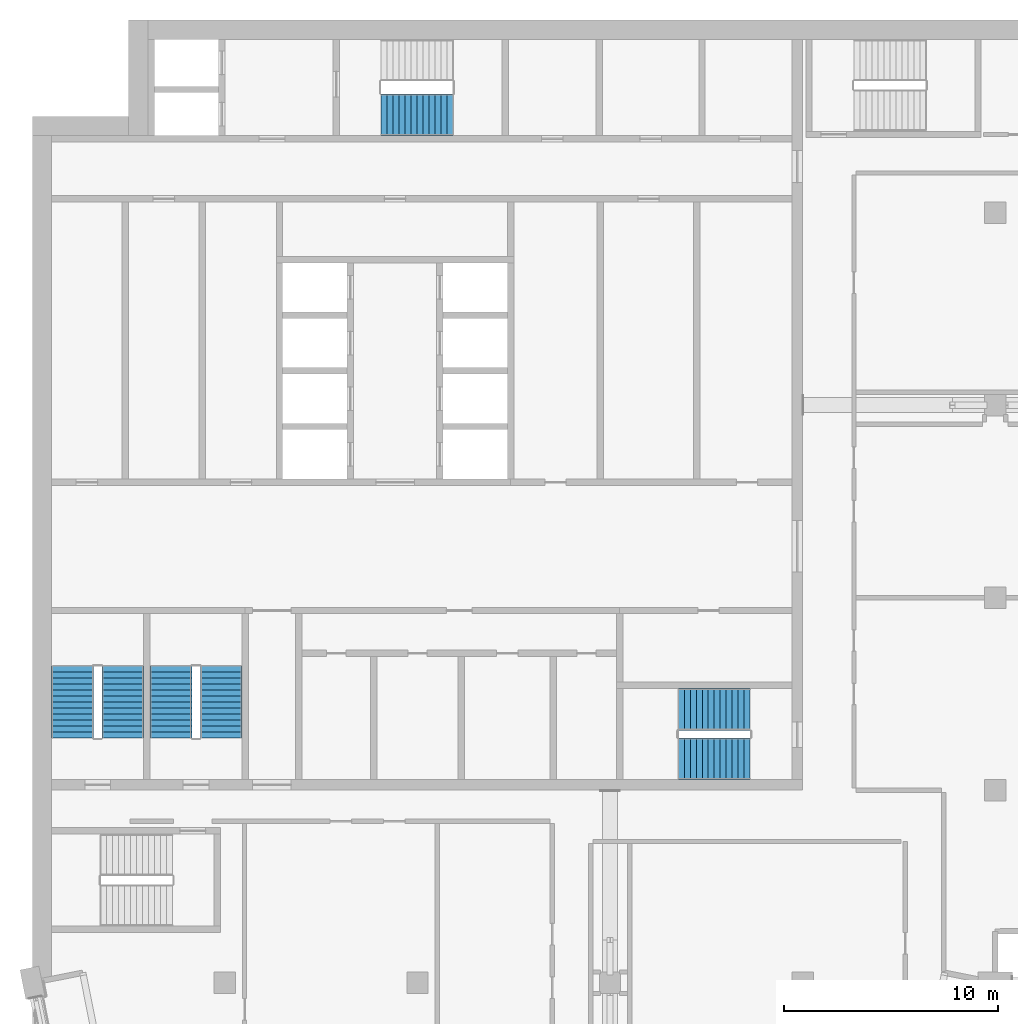
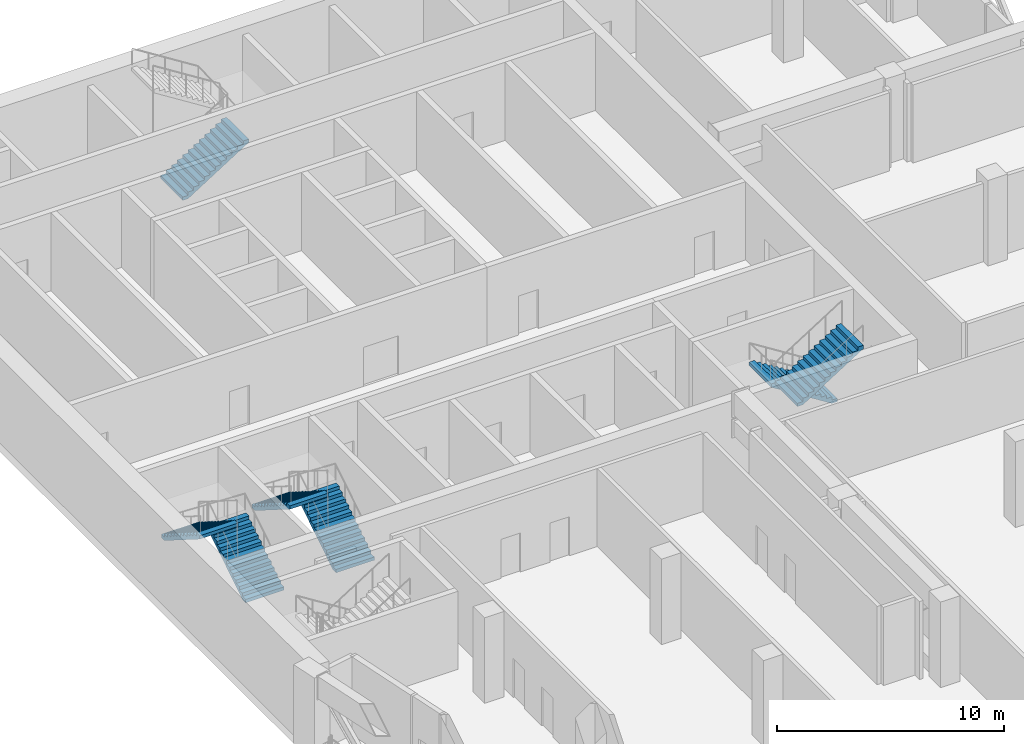
# One storey, part 11 of 18: 7 stair flights, 4 elements without a shape of their own.
"""IFC4 building model written with IfcOpenShell, lengths in metres."""

import ifcopenshell
import ifcopenshell.guid

model = None  # the IFC model being written
_history = None  # IfcOwnerHistory: only IFC2X3 demands one
_inside = {}  # id of a spatial element -> (the spatial element, [elements in it])
_under = {}  # id of a project, library or spatial element -> (it, [spatial elements below it])
_declared = {}  # id of a project -> (the project, [libraries it declares])
_typed = {}  # id of a type object -> (the type object, [elements of that type])
_made_of = {}  # id of a material, layer set ... -> (it, [elements and type objects made of it])


def new_model(schema):
    """Start an empty IFC model of exactly this schema.

    Asked for "IFC4X3", IfcOpenShell would pick the latest addendum, in which some entities
    have other attributes; the version numbers below select the first issue.
    IFC2X3 requires an IfcOwnerHistory on every rooted entity: one is made here for all.
    """
    global model, _history
    if schema == "IFC4X3":
        model = ifcopenshell.file(schema_version=(4, 3, 0, 0))
    else:
        model = ifcopenshell.file(schema=schema)
    _inside.clear()
    _under.clear()
    _declared.clear()
    _typed.clear()
    _made_of.clear()
    _history = None
    if model.schema == "IFC2X3":
        org = make("IfcOrganization", Name="unknown")
        user = make(
            "IfcPersonAndOrganization",
            ThePerson=make("IfcPerson", FamilyName="unknown"),
            TheOrganization=org,
        )
        app = make(
            "IfcApplication",
            ApplicationDeveloper=org,
            Version="unknown",
            ApplicationFullName="unknown",
            ApplicationIdentifier="unknown",
        )
        _history = make(
            "IfcOwnerHistory",
            OwningUser=user,
            OwningApplication=app,
            ChangeAction="ADDED",
            CreationDate=0,
        )
    return model


def make(cls, **values):
    """One entity of the class cls with the attributes given. An attribute that is None is left unset."""
    return model.create_entity(
        cls, **{name: value for name, value in values.items() if value is not None}
    )


def rooted(cls, **values):
    """An entity with a GlobalId (a new one), such as an element, a storey or a relation."""
    return make(cls, GlobalId=ifcopenshell.guid.new(), OwnerHistory=_history, **values)


def si_unit(unit_type, name, prefix=None):
    """IfcSIUnit, for example si_unit("LENGTHUNIT", "METRE", prefix="MILLI")."""
    return make("IfcSIUnit", UnitType=unit_type, Prefix=prefix, Name=name)


def assignment(units):
    """IfcUnitAssignment: the units of a project."""
    return None if units is None else make("IfcUnitAssignment", Units=units)


def point(xyz):
    """IfcCartesianPoint."""
    return None if xyz is None else make("IfcCartesianPoint", Coordinates=xyz)


def direction(xyz):
    """IfcDirection."""
    return None if xyz is None else make("IfcDirection", DirectionRatios=xyz)


def frame(location, z_axis=None, x_axis=None):
    """IfcAxis2Placement3D, a coordinate frame: its origin and axes. An axis left out is left unset."""
    return make(
        "IfcAxis2Placement3D",
        Location=point(location),
        Axis=direction(z_axis),
        RefDirection=direction(x_axis),
    )


def origin():
    """The frame at (0, 0, 0) with its axes left unset."""
    return frame((0.0, 0.0, 0.0))


def place(relative_to, where):
    """IfcLocalPlacement: puts the frame where relative to a parent placement (None: the world)."""
    return make(
        "IfcLocalPlacement", PlacementRelTo=relative_to, RelativePlacement=where
    )


def context(
    kind, dimensions, precision=None, world=None, true_north=None, identifier=None
):
    """IfcGeometricRepresentationContext, for example the 3D "Model" context."""
    return make(
        "IfcGeometricRepresentationContext",
        ContextIdentifier=identifier,
        ContextType=kind,
        CoordinateSpaceDimension=dimensions,
        Precision=precision,
        WorldCoordinateSystem=world,
        TrueNorth=true_north,
    )


def subcontext(parent, identifier, kind, view, scale=None):
    """IfcGeometricRepresentationSubContext, for example "Body" below "Model"."""
    return make(
        "IfcGeometricRepresentationSubContext",
        ContextIdentifier=identifier,
        ContextType=kind,
        ParentContext=parent,
        TargetScale=scale,
        TargetView=view,
    )


def project(units=None, contexts=None):
    """IfcProject with its units and contexts."""
    return rooted(
        "IfcProject",
        Name="project",
        RepresentationContexts=contexts,
        UnitsInContext=assignment(units),
    )


def spatial(cls, under=None, at=None, **own):
    """A site, building, storey or space (cls), placed at a placement, below another one or the project."""
    s = rooted(cls, ObjectPlacement=at, **own)
    if under is not None:
        _under.setdefault(under.id(), (under, []))[1].append(s)
    return s


def polyline(points):
    """IfcPolyline through the points."""
    return make("IfcPolyline", Points=[point(p) for p in points])


def outline(outer, holes=None, kind="AREA"):
    """IfcArbitraryClosedProfileDef: a profile drawn as a closed curve; with holes, ...WithVoids."""
    if holes is None:
        return make("IfcArbitraryClosedProfileDef", ProfileType=kind, OuterCurve=outer)
    return make(
        "IfcArbitraryProfileDefWithVoids",
        ProfileType=kind,
        OuterCurve=outer,
        InnerCurves=holes,
    )


def extrude(swept, where, along, depth):
    """IfcExtrudedAreaSolid: the profile swept, set in the frame where, extruded along a direction by depth."""
    return make(
        "IfcExtrudedAreaSolid",
        SweptArea=swept,
        Position=where,
        ExtrudedDirection=direction(along),
        Depth=depth,
    )


def shape(context_of_items, identifier, shape_type, items):
    """IfcShapeRepresentation: the items that make up one representation, for example the "Body"."""
    return make(
        "IfcShapeRepresentation",
        ContextOfItems=context_of_items,
        RepresentationIdentifier=identifier,
        RepresentationType=shape_type,
        Items=items,
    )


def material(Name=None, Category=None):
    """IfcMaterial."""
    return make("IfcMaterial", Name=Name, Category=Category)


def made_of(thing, what):
    """Note that an element or type object is made of a material, layer set ...; save() writes the relation."""
    if what is not None:
        _made_of.setdefault(what.id(), (what, []))[1].append(thing)
    return thing


def type_object(cls, material=None, **own):
    """A type object (cls), such as IfcWallType, which elements share."""
    return made_of(rooted(cls, **own), material)


def element(
    cls,
    number,
    at=None,
    inside=None,
    cuts=None,
    type_object=None,
    material=None,
    context=None,
    identifier="Body",
    shape_type=None,
    held_by="IfcProductDefinitionShape",
    body=None,
    shapes=None,
    **own,
):
    """One element of the class cls, such as IfcWall. Its Tag is "e" and its number.

    at: its placement. inside: the storey or other place that contains it. cuts: it is an
    opening in that element (IfcRelVoidsElement). A single representation is given by context,
    identifier, shape_type and body (its items); several are given by shapes. held_by: the class
    of the entity that holds the representations. save() writes the other relations.
    """
    e = rooted(cls, Tag="e%d" % number, ObjectPlacement=at, **own)
    if body is not None:
        shapes = [shape(context, identifier, shape_type, body)]
    if shapes is not None:
        e.Representation = make(held_by, Representations=shapes)
    if inside is not None:
        _inside.setdefault(inside.id(), (inside, []))[1].append(e)
    if cuts is not None:
        rooted(
            "IfcRelVoidsElement", RelatingBuildingElement=cuts, RelatedOpeningElement=e
        )
    if type_object is not None:
        _typed.setdefault(type_object.id(), (type_object, []))[1].append(e)
    return made_of(e, material)


def aggregate(whole, parts):
    """IfcRelAggregates: a whole, such as a stair, and the parts it consists of."""
    return rooted("IfcRelAggregates", RelatingObject=whole, RelatedObjects=parts)


def save(model, path):
    """Write the relations noted so far, then the file.

    IfcRelAggregates (storeys below a building ...), IfcRelContainedInSpatialStructure (elements
    in a storey), IfcRelDefinesByType, IfcRelAssociatesMaterial and IfcRelDeclares: one each for
    every whole, place, type object, material and project.
    """
    for whole, parts in _under.values():
        aggregate(whole, parts)
    for where, things in _inside.values():
        rooted(
            "IfcRelContainedInSpatialStructure",
            RelatedElements=things,
            RelatingStructure=where,
        )
    for kind, things in _typed.values():
        rooted("IfcRelDefinesByType", RelatedObjects=things, RelatingType=kind)
    for what, things in _made_of.values():
        rooted("IfcRelAssociatesMaterial", RelatedObjects=things, RelatingMaterial=what)
    for by, libraries in _declared.values():
        rooted("IfcRelDeclares", RelatingContext=by, RelatedDefinitions=libraries)
    model.write(path)


model = new_model("IFC4")

# Units and contexts
model_context = context("Model", 3, precision=1e-05, world=origin(), true_north=direction((0.0, 1.0)))
body_context = subcontext(model_context, "Body", "Model", "MODEL_VIEW")
ifc_project = project(units=[si_unit("LENGTHUNIT", "METRE"), si_unit("AREAUNIT", "SQUARE_METRE"), si_unit("VOLUMEUNIT", "CUBIC_METRE"), si_unit("PLANEANGLEUNIT", "RADIAN"), si_unit("MASSUNIT", "GRAM", prefix="KILO")], contexts=[model_context])

# Site, building, storey
site_placement = place(None, origin())
site = spatial("IfcSite", under=ifc_project, at=site_placement, CompositionType="ELEMENT")
building_placement = place(site_placement, origin())
building = spatial("IfcBuilding", under=site, at=building_placement, Name="Hunhe Ridgeline Campus", CompositionType="ELEMENT")
storey_placement = place(building_placement, frame((0.0, 0.0, 276.199951171875)))
storey = spatial("IfcBuildingStorey", under=building, at=storey_placement, Name="L71", CompositionType="ELEMENT", Elevation=276.199951171875)

# Stair, stair flight
ifc_material = material(Name="Concrete C40", Category="concrete")
stair_type = type_object("IfcStairType", Name="Reinforced concrete dog-leg stair 1950 Concrete C40", PredefinedType="HALF_TURN_STAIR", material=ifc_material)
stair_1_placement = place(storey_placement, origin())
stair_1 = element("IfcStair", 1, at=stair_1_placement, inside=storey, type_object=stair_type, Name="L71 S1", PredefinedType="HALF_TURN_STAIR")
stair_flight_type = type_object("IfcStairFlightType", Name="Reinforced concrete stair flight 1950 Concrete C40", PredefinedType="STRAIGHT", material=ifc_material)
stair_flight_1_placement = place(storey_placement, frame((16.300048828125, 94.574951171875, 0.0), z_axis=(0.0, 0.0, 1.0), x_axis=(1.0, 0.0, 0.0)))
stair_flight_1 = element("IfcStairFlight", 2, at=stair_flight_1_placement, type_object=stair_flight_type, Name="ST1 flight 1", NumberOfRisers=13, NumberOfTreads=12, PredefinedType="STRAIGHT", RiserHeight=0.176923077, TreadLength=0.28, context=body_context, shape_type="SweptSolid", body=[
    extrude(outline(polyline([(0.0, 0.0), (0.0, 0.177001953125), (0.280029296875, 0.177001953125), (0.280029296875, 0.353759765625), (0.56005859375, 0.353759765625), (0.56005859375, 0.53076171875), (0.840087890625, 0.53076171875), (0.840087890625, 0.707763671875), (1.1201171875, 0.707763671875), (1.1201171875, 0.884521484375), (1.39990234375, 0.884521484375), (1.39990234375, 1.0615234375), (1.679931640625, 1.0615234375), (1.679931640625, 1.238525390625), (1.9599609375, 1.238525390625), (1.9599609375, 1.415283203125), (2.239990234375, 1.415283203125), (2.239990234375, 1.59228515625), (2.52001953125, 1.59228515625), (2.52001953125, 1.769287109375), (2.800048828125, 1.769287109375), (2.800048828125, 1.946044921875), (3.080078125, 1.946044921875), (3.080078125, 2.123046875), (3.360107421875, 2.123046875), (3.360107421875, 2.300048828125), (3.360107421875, 1.94580078125), (0.280517578125, 0.0), (0.0, 0.0)])), frame((0.0, 0.97509765625, 0.0), z_axis=(0.0, -1.0, 0.0), x_axis=(1.0, 0.0, 0.0)), (0.0, 0.0, 1.0), 1.949951171875),
    extrude(outline(polyline([(0.030029296875, 0.030029296875), (0.030029296875, 0.14697265625), (0.31005859375, 0.14697265625), (0.31005859375, 0.32373046875), (0.590087890625, 0.32373046875), (0.590087890625, 0.500732421875), (0.8701171875, 0.500732421875), (0.8701171875, 0.677734375), (1.14990234375, 0.677734375), (1.14990234375, 0.8544921875), (1.429931640625, 0.8544921875), (1.429931640625, 1.031494140625), (1.7099609375, 1.031494140625), (1.7099609375, 1.20849609375), (1.989990234375, 1.20849609375), (1.989990234375, 1.385498046875), (2.27001953125, 1.385498046875), (2.27001953125, 1.562255859375), (2.550048828125, 1.562255859375), (2.550048828125, 1.7392578125), (2.830078125, 1.7392578125), (2.830078125, 1.916259765625), (3.110107421875, 1.916259765625), (3.110107421875, 2.093017578125), (3.330078125, 2.093017578125), (3.330078125, 1.96240234375), (0.27197265625, 0.030029296875), (0.030029296875, 0.030029296875)])), frame((0.0, -0.070068359375, 0.0), z_axis=(0.0, -1.0, 0.0), x_axis=(1.0, 0.0, 0.0)), (0.0, 0.0, 1.0), 0.019775390625),
    extrude(outline(polyline([(0.030029296875, 0.030029296875), (0.030029296875, 0.14697265625), (0.31005859375, 0.14697265625), (0.31005859375, 0.32373046875), (0.590087890625, 0.32373046875), (0.590087890625, 0.500732421875), (0.8701171875, 0.500732421875), (0.8701171875, 0.677734375), (1.14990234375, 0.677734375), (1.14990234375, 0.8544921875), (1.429931640625, 0.8544921875), (1.429931640625, 1.031494140625), (1.7099609375, 1.031494140625), (1.7099609375, 1.20849609375), (1.989990234375, 1.20849609375), (1.989990234375, 1.385498046875), (2.27001953125, 1.385498046875), (2.27001953125, 1.562255859375), (2.550048828125, 1.562255859375), (2.550048828125, 1.7392578125), (2.830078125, 1.7392578125), (2.830078125, 1.916259765625), (3.110107421875, 1.916259765625), (3.110107421875, 2.093017578125), (3.330078125, 2.093017578125), (3.330078125, 1.96240234375), (0.27197265625, 0.030029296875), (0.030029296875, 0.030029296875)])), frame((0.0, 0.010009765625, 0.0), z_axis=(0.0, -1.0, 0.0), x_axis=(1.0, 0.0, 0.0)), (0.0, 0.0, 1.0), 0.019775390625),
    extrude(outline(polyline([(0.030029296875, 0.030029296875), (0.030029296875, 0.14697265625), (0.31005859375, 0.14697265625), (0.31005859375, 0.32373046875), (0.590087890625, 0.32373046875), (0.590087890625, 0.500732421875), (0.8701171875, 0.500732421875), (0.8701171875, 0.677734375), (1.14990234375, 0.677734375), (1.14990234375, 0.8544921875), (1.429931640625, 0.8544921875), (1.429931640625, 1.031494140625), (1.7099609375, 1.031494140625), (1.7099609375, 1.20849609375), (1.989990234375, 1.20849609375), (1.989990234375, 1.385498046875), (2.27001953125, 1.385498046875), (2.27001953125, 1.562255859375), (2.550048828125, 1.562255859375), (2.550048828125, 1.7392578125), (2.830078125, 1.7392578125), (2.830078125, 1.916259765625), (3.110107421875, 1.916259765625), (3.110107421875, 2.093017578125), (3.330078125, 2.093017578125), (3.330078125, 1.96240234375), (0.27197265625, 0.030029296875), (0.030029296875, 0.030029296875)])), frame((0.0, 0.090087890625, 0.0), z_axis=(0.0, -1.0, 0.0), x_axis=(1.0, 0.0, 0.0)), (0.0, 0.0, 1.0), 0.019775390625),
])
aggregate(stair_1, [stair_flight_1])

# Stair, stair flights
stair_2_placement = place(storey_placement, origin())
stair_2 = element("IfcStair", 3, at=stair_2_placement, inside=storey, type_object=stair_type, Name="L71 S2", PredefinedType="HALF_TURN_STAIR")
stair_flight_2_placement = place(storey_placement, frame((33.550048828125, 66.77490234375, 0.0), z_axis=(0.0, 0.0, 1.0), x_axis=(-1.0, 0.0, 0.0)))
stair_flight_2 = element("IfcStairFlight", 4, at=stair_flight_2_placement, type_object=stair_flight_type, Name="ST2 flight 1", NumberOfRisers=13, NumberOfTreads=12, PredefinedType="STRAIGHT", RiserHeight=0.176923077, TreadLength=0.28, context=body_context, shape_type="SweptSolid", body=[
    extrude(outline(polyline([(0.0, 0.0), (0.0, 0.177001953125), (0.280029296875, 0.177001953125), (0.280029296875, 0.353759765625), (0.56005859375, 0.353759765625), (0.56005859375, 0.53076171875), (0.840087890625, 0.53076171875), (0.840087890625, 0.707763671875), (1.1201171875, 0.707763671875), (1.1201171875, 0.884521484375), (1.39990234375, 0.884521484375), (1.39990234375, 1.0615234375), (1.679931640625, 1.0615234375), (1.679931640625, 1.238525390625), (1.9599609375, 1.238525390625), (1.9599609375, 1.415283203125), (2.239990234375, 1.415283203125), (2.239990234375, 1.59228515625), (2.52001953125, 1.59228515625), (2.52001953125, 1.769287109375), (2.800048828125, 1.769287109375), (2.800048828125, 1.946044921875), (3.080078125, 1.946044921875), (3.080078125, 2.123046875), (3.360107421875, 2.123046875), (3.360107421875, 2.300048828125), (3.360107421875, 1.94580078125), (0.280517578125, 0.0), (0.0, 0.0)])), frame((0.0, 0.97509765625, 0.0), z_axis=(0.0, -1.0, 0.0), x_axis=(1.0, 0.0, 0.0)), (0.0, 0.0, 1.0), 1.949951171875),
    extrude(outline(polyline([(0.030029296875, 0.030029296875), (0.030029296875, 0.14697265625), (0.31005859375, 0.14697265625), (0.31005859375, 0.32373046875), (0.590087890625, 0.32373046875), (0.590087890625, 0.500732421875), (0.8701171875, 0.500732421875), (0.8701171875, 0.677734375), (1.14990234375, 0.677734375), (1.14990234375, 0.8544921875), (1.429931640625, 0.8544921875), (1.429931640625, 1.031494140625), (1.7099609375, 1.031494140625), (1.7099609375, 1.20849609375), (1.989990234375, 1.20849609375), (1.989990234375, 1.385498046875), (2.27001953125, 1.385498046875), (2.27001953125, 1.562255859375), (2.550048828125, 1.562255859375), (2.550048828125, 1.7392578125), (2.830078125, 1.7392578125), (2.830078125, 1.916259765625), (3.110107421875, 1.916259765625), (3.110107421875, 2.093017578125), (3.330078125, 2.093017578125), (3.330078125, 1.96240234375), (0.27197265625, 0.030029296875), (0.030029296875, 0.030029296875)])), frame((0.0, -0.070068359375, 0.0), z_axis=(0.0, -1.0, 0.0), x_axis=(1.0, 0.0, 0.0)), (0.0, 0.0, 1.0), 0.019775390625),
    extrude(outline(polyline([(0.030029296875, 0.030029296875), (0.030029296875, 0.14697265625), (0.31005859375, 0.14697265625), (0.31005859375, 0.32373046875), (0.590087890625, 0.32373046875), (0.590087890625, 0.500732421875), (0.8701171875, 0.500732421875), (0.8701171875, 0.677734375), (1.14990234375, 0.677734375), (1.14990234375, 0.8544921875), (1.429931640625, 0.8544921875), (1.429931640625, 1.031494140625), (1.7099609375, 1.031494140625), (1.7099609375, 1.20849609375), (1.989990234375, 1.20849609375), (1.989990234375, 1.385498046875), (2.27001953125, 1.385498046875), (2.27001953125, 1.562255859375), (2.550048828125, 1.562255859375), (2.550048828125, 1.7392578125), (2.830078125, 1.7392578125), (2.830078125, 1.916259765625), (3.110107421875, 1.916259765625), (3.110107421875, 2.093017578125), (3.330078125, 2.093017578125), (3.330078125, 1.96240234375), (0.27197265625, 0.030029296875), (0.030029296875, 0.030029296875)])), frame((0.0, 0.010009765625, 0.0), z_axis=(0.0, -1.0, 0.0), x_axis=(1.0, 0.0, 0.0)), (0.0, 0.0, 1.0), 0.019775390625),
    extrude(outline(polyline([(0.030029296875, 0.030029296875), (0.030029296875, 0.14697265625), (0.31005859375, 0.14697265625), (0.31005859375, 0.32373046875), (0.590087890625, 0.32373046875), (0.590087890625, 0.500732421875), (0.8701171875, 0.500732421875), (0.8701171875, 0.677734375), (1.14990234375, 0.677734375), (1.14990234375, 0.8544921875), (1.429931640625, 0.8544921875), (1.429931640625, 1.031494140625), (1.7099609375, 1.031494140625), (1.7099609375, 1.20849609375), (1.989990234375, 1.20849609375), (1.989990234375, 1.385498046875), (2.27001953125, 1.385498046875), (2.27001953125, 1.562255859375), (2.550048828125, 1.562255859375), (2.550048828125, 1.7392578125), (2.830078125, 1.7392578125), (2.830078125, 1.916259765625), (3.110107421875, 1.916259765625), (3.110107421875, 2.093017578125), (3.330078125, 2.093017578125), (3.330078125, 1.96240234375), (0.27197265625, 0.030029296875), (0.030029296875, 0.030029296875)])), frame((0.0, 0.090087890625, 0.0), z_axis=(0.0, -1.0, 0.0), x_axis=(1.0, 0.0, 0.0)), (0.0, 0.0, 1.0), 0.019775390625),
])
stair_flight_3_placement = place(storey_placement, frame((30.18994140625, 64.47509765625, 2.300048828125), z_axis=(0.0, 0.0, 1.0), x_axis=(1.0, 0.0, 0.0)))
stair_flight_3 = element("IfcStairFlight", 5, at=stair_flight_3_placement, type_object=stair_flight_type, Name="ST2 flight 2", NumberOfRisers=13, NumberOfTreads=12, PredefinedType="STRAIGHT", RiserHeight=0.176923077, TreadLength=0.28, context=body_context, shape_type="SweptSolid", body=[
    extrude(outline(polyline([(0.0, 0.0), (0.0, 0.177001953125), (0.280029296875, 0.177001953125), (0.280029296875, 0.353759765625), (0.56005859375, 0.353759765625), (0.56005859375, 0.53076171875), (0.840087890625, 0.53076171875), (0.840087890625, 0.707763671875), (1.1201171875, 0.707763671875), (1.1201171875, 0.884521484375), (1.39990234375, 0.884521484375), (1.39990234375, 1.0615234375), (1.679931640625, 1.0615234375), (1.679931640625, 1.238525390625), (1.9599609375, 1.238525390625), (1.9599609375, 1.415283203125), (2.239990234375, 1.415283203125), (2.239990234375, 1.59228515625), (2.52001953125, 1.59228515625), (2.52001953125, 1.769287109375), (2.800048828125, 1.769287109375), (2.800048828125, 1.946044921875), (3.080078125, 1.946044921875), (3.080078125, 2.123046875), (3.360107421875, 2.123046875), (3.360107421875, 2.300048828125), (3.360107421875, 1.94580078125), (0.280517578125, 0.0), (0.0, 0.0)])), frame((0.0, 0.97509765625, 0.0), z_axis=(0.0, -1.0, 0.0), x_axis=(1.0, 0.0, 0.0)), (0.0, 0.0, 1.0), 1.949951171875),
    extrude(outline(polyline([(0.030029296875, 0.030029296875), (0.030029296875, 0.14697265625), (0.31005859375, 0.14697265625), (0.31005859375, 0.32373046875), (0.590087890625, 0.32373046875), (0.590087890625, 0.500732421875), (0.8701171875, 0.500732421875), (0.8701171875, 0.677734375), (1.14990234375, 0.677734375), (1.14990234375, 0.8544921875), (1.429931640625, 0.8544921875), (1.429931640625, 1.031494140625), (1.7099609375, 1.031494140625), (1.7099609375, 1.20849609375), (1.989990234375, 1.20849609375), (1.989990234375, 1.385498046875), (2.27001953125, 1.385498046875), (2.27001953125, 1.562255859375), (2.550048828125, 1.562255859375), (2.550048828125, 1.7392578125), (2.830078125, 1.7392578125), (2.830078125, 1.916259765625), (3.110107421875, 1.916259765625), (3.110107421875, 2.093017578125), (3.330078125, 2.093017578125), (3.330078125, 1.96240234375), (0.27197265625, 0.030029296875), (0.030029296875, 0.030029296875)])), frame((0.0, -0.070068359375, 0.0), z_axis=(0.0, -1.0, 0.0), x_axis=(1.0, 0.0, 0.0)), (0.0, 0.0, 1.0), 0.019775390625),
    extrude(outline(polyline([(0.030029296875, 0.030029296875), (0.030029296875, 0.14697265625), (0.31005859375, 0.14697265625), (0.31005859375, 0.32373046875), (0.590087890625, 0.32373046875), (0.590087890625, 0.500732421875), (0.8701171875, 0.500732421875), (0.8701171875, 0.677734375), (1.14990234375, 0.677734375), (1.14990234375, 0.8544921875), (1.429931640625, 0.8544921875), (1.429931640625, 1.031494140625), (1.7099609375, 1.031494140625), (1.7099609375, 1.20849609375), (1.989990234375, 1.20849609375), (1.989990234375, 1.385498046875), (2.27001953125, 1.385498046875), (2.27001953125, 1.562255859375), (2.550048828125, 1.562255859375), (2.550048828125, 1.7392578125), (2.830078125, 1.7392578125), (2.830078125, 1.916259765625), (3.110107421875, 1.916259765625), (3.110107421875, 2.093017578125), (3.330078125, 2.093017578125), (3.330078125, 1.96240234375), (0.27197265625, 0.030029296875), (0.030029296875, 0.030029296875)])), frame((0.0, 0.010009765625, 0.0), z_axis=(0.0, -1.0, 0.0), x_axis=(1.0, 0.0, 0.0)), (0.0, 0.0, 1.0), 0.019775390625),
    extrude(outline(polyline([(0.030029296875, 0.030029296875), (0.030029296875, 0.14697265625), (0.31005859375, 0.14697265625), (0.31005859375, 0.32373046875), (0.590087890625, 0.32373046875), (0.590087890625, 0.500732421875), (0.8701171875, 0.500732421875), (0.8701171875, 0.677734375), (1.14990234375, 0.677734375), (1.14990234375, 0.8544921875), (1.429931640625, 0.8544921875), (1.429931640625, 1.031494140625), (1.7099609375, 1.031494140625), (1.7099609375, 1.20849609375), (1.989990234375, 1.20849609375), (1.989990234375, 1.385498046875), (2.27001953125, 1.385498046875), (2.27001953125, 1.562255859375), (2.550048828125, 1.562255859375), (2.550048828125, 1.7392578125), (2.830078125, 1.7392578125), (2.830078125, 1.916259765625), (3.110107421875, 1.916259765625), (3.110107421875, 2.093017578125), (3.330078125, 2.093017578125), (3.330078125, 1.96240234375), (0.27197265625, 0.030029296875), (0.030029296875, 0.030029296875)])), frame((0.0, 0.090087890625, 0.0), z_axis=(0.0, -1.0, 0.0), x_axis=(1.0, 0.0, 0.0)), (0.0, 0.0, 1.0), 0.019775390625),
])
aggregate(stair_2, [stair_flight_2, stair_flight_3])

stair_3_placement = place(storey_placement, origin())
stair_3 = element("IfcStair", 6, at=stair_3_placement, inside=storey, type_object=stair_type, Name="L71 S3", PredefinedType="HALF_TURN_STAIR")
stair_flight_4_placement = place(storey_placement, frame((4.22509765625, 65.449951171875, 0.0), z_axis=(0.0, 0.0, 1.0), x_axis=(0.0, 1.0, 0.0)))
stair_flight_4 = element("IfcStairFlight", 7, at=stair_flight_4_placement, type_object=stair_flight_type, Name="ST3 flight 1", NumberOfRisers=13, NumberOfTreads=12, PredefinedType="STRAIGHT", RiserHeight=0.176923077, TreadLength=0.28, context=body_context, shape_type="SweptSolid", body=[
    extrude(outline(polyline([(0.0, 0.0), (0.0, 0.177001953125), (0.280029296875, 0.177001953125), (0.280029296875, 0.353759765625), (0.56005859375, 0.353759765625), (0.56005859375, 0.53076171875), (0.840087890625, 0.53076171875), (0.840087890625, 0.707763671875), (1.1201171875, 0.707763671875), (1.1201171875, 0.884521484375), (1.39990234375, 0.884521484375), (1.39990234375, 1.0615234375), (1.679931640625, 1.0615234375), (1.679931640625, 1.238525390625), (1.9599609375, 1.238525390625), (1.9599609375, 1.415283203125), (2.239990234375, 1.415283203125), (2.239990234375, 1.59228515625), (2.52001953125, 1.59228515625), (2.52001953125, 1.769287109375), (2.800048828125, 1.769287109375), (2.800048828125, 1.946044921875), (3.080078125, 1.946044921875), (3.080078125, 2.123046875), (3.360107421875, 2.123046875), (3.360107421875, 2.300048828125), (3.360107421875, 1.94580078125), (0.280517578125, 0.0), (0.0, 0.0)])), frame((0.0, 0.97509765625, 0.0), z_axis=(0.0, -1.0, 0.0), x_axis=(1.0, 0.0, 0.0)), (0.0, 0.0, 1.0), 1.949951171875),
    extrude(outline(polyline([(0.030029296875, 0.030029296875), (0.030029296875, 0.14697265625), (0.31005859375, 0.14697265625), (0.31005859375, 0.32373046875), (0.590087890625, 0.32373046875), (0.590087890625, 0.500732421875), (0.8701171875, 0.500732421875), (0.8701171875, 0.677734375), (1.14990234375, 0.677734375), (1.14990234375, 0.8544921875), (1.429931640625, 0.8544921875), (1.429931640625, 1.031494140625), (1.7099609375, 1.031494140625), (1.7099609375, 1.20849609375), (1.989990234375, 1.20849609375), (1.989990234375, 1.385498046875), (2.27001953125, 1.385498046875), (2.27001953125, 1.562255859375), (2.550048828125, 1.562255859375), (2.550048828125, 1.7392578125), (2.830078125, 1.7392578125), (2.830078125, 1.916259765625), (3.110107421875, 1.916259765625), (3.110107421875, 2.093017578125), (3.330078125, 2.093017578125), (3.330078125, 1.96240234375), (0.27197265625, 0.030029296875), (0.030029296875, 0.030029296875)])), frame((0.0, -0.070068359375, 0.0), z_axis=(0.0, -1.0, 0.0), x_axis=(1.0, 0.0, 0.0)), (0.0, 0.0, 1.0), 0.019775390625),
    extrude(outline(polyline([(0.030029296875, 0.030029296875), (0.030029296875, 0.14697265625), (0.31005859375, 0.14697265625), (0.31005859375, 0.32373046875), (0.590087890625, 0.32373046875), (0.590087890625, 0.500732421875), (0.8701171875, 0.500732421875), (0.8701171875, 0.677734375), (1.14990234375, 0.677734375), (1.14990234375, 0.8544921875), (1.429931640625, 0.8544921875), (1.429931640625, 1.031494140625), (1.7099609375, 1.031494140625), (1.7099609375, 1.20849609375), (1.989990234375, 1.20849609375), (1.989990234375, 1.385498046875), (2.27001953125, 1.385498046875), (2.27001953125, 1.562255859375), (2.550048828125, 1.562255859375), (2.550048828125, 1.7392578125), (2.830078125, 1.7392578125), (2.830078125, 1.916259765625), (3.110107421875, 1.916259765625), (3.110107421875, 2.093017578125), (3.330078125, 2.093017578125), (3.330078125, 1.96240234375), (0.27197265625, 0.030029296875), (0.030029296875, 0.030029296875)])), frame((0.0, 0.010009765625, 0.0), z_axis=(0.0, -1.0, 0.0), x_axis=(1.0, 0.0, 0.0)), (0.0, 0.0, 1.0), 0.019775390625),
    extrude(outline(polyline([(0.030029296875, 0.030029296875), (0.030029296875, 0.14697265625), (0.31005859375, 0.14697265625), (0.31005859375, 0.32373046875), (0.590087890625, 0.32373046875), (0.590087890625, 0.500732421875), (0.8701171875, 0.500732421875), (0.8701171875, 0.677734375), (1.14990234375, 0.677734375), (1.14990234375, 0.8544921875), (1.429931640625, 0.8544921875), (1.429931640625, 1.031494140625), (1.7099609375, 1.031494140625), (1.7099609375, 1.20849609375), (1.989990234375, 1.20849609375), (1.989990234375, 1.385498046875), (2.27001953125, 1.385498046875), (2.27001953125, 1.562255859375), (2.550048828125, 1.562255859375), (2.550048828125, 1.7392578125), (2.830078125, 1.7392578125), (2.830078125, 1.916259765625), (3.110107421875, 1.916259765625), (3.110107421875, 2.093017578125), (3.330078125, 2.093017578125), (3.330078125, 1.96240234375), (0.27197265625, 0.030029296875), (0.030029296875, 0.030029296875)])), frame((0.0, 0.090087890625, 0.0), z_axis=(0.0, -1.0, 0.0), x_axis=(1.0, 0.0, 0.0)), (0.0, 0.0, 1.0), 0.019775390625),
])
stair_flight_5_placement = place(storey_placement, frame((1.875, 68.81005859375, 2.300048828125), z_axis=(0.0, 0.0, 1.0), x_axis=(0.0, -1.0, 0.0)))
stair_flight_5 = element("IfcStairFlight", 8, at=stair_flight_5_placement, type_object=stair_flight_type, Name="ST3 flight 2", NumberOfRisers=13, NumberOfTreads=12, PredefinedType="STRAIGHT", RiserHeight=0.176923077, TreadLength=0.28, context=body_context, shape_type="SweptSolid", body=[
    extrude(outline(polyline([(0.0, 0.0), (0.0, 0.177001953125), (0.280029296875, 0.177001953125), (0.280029296875, 0.353759765625), (0.56005859375, 0.353759765625), (0.56005859375, 0.53076171875), (0.840087890625, 0.53076171875), (0.840087890625, 0.707763671875), (1.1201171875, 0.707763671875), (1.1201171875, 0.884521484375), (1.39990234375, 0.884521484375), (1.39990234375, 1.0615234375), (1.679931640625, 1.0615234375), (1.679931640625, 1.238525390625), (1.9599609375, 1.238525390625), (1.9599609375, 1.415283203125), (2.239990234375, 1.415283203125), (2.239990234375, 1.59228515625), (2.52001953125, 1.59228515625), (2.52001953125, 1.769287109375), (2.800048828125, 1.769287109375), (2.800048828125, 1.946044921875), (3.080078125, 1.946044921875), (3.080078125, 2.123046875), (3.360107421875, 2.123046875), (3.360107421875, 2.300048828125), (3.360107421875, 1.94580078125), (0.280517578125, 0.0), (0.0, 0.0)])), frame((0.0, 0.97509765625, 0.0), z_axis=(0.0, -1.0, 0.0), x_axis=(1.0, 0.0, 0.0)), (0.0, 0.0, 1.0), 1.949951171875),
    extrude(outline(polyline([(0.030029296875, 0.030029296875), (0.030029296875, 0.14697265625), (0.31005859375, 0.14697265625), (0.31005859375, 0.32373046875), (0.590087890625, 0.32373046875), (0.590087890625, 0.500732421875), (0.8701171875, 0.500732421875), (0.8701171875, 0.677734375), (1.14990234375, 0.677734375), (1.14990234375, 0.8544921875), (1.429931640625, 0.8544921875), (1.429931640625, 1.031494140625), (1.7099609375, 1.031494140625), (1.7099609375, 1.20849609375), (1.989990234375, 1.20849609375), (1.989990234375, 1.385498046875), (2.27001953125, 1.385498046875), (2.27001953125, 1.562255859375), (2.550048828125, 1.562255859375), (2.550048828125, 1.7392578125), (2.830078125, 1.7392578125), (2.830078125, 1.916259765625), (3.110107421875, 1.916259765625), (3.110107421875, 2.093017578125), (3.330078125, 2.093017578125), (3.330078125, 1.96240234375), (0.27197265625, 0.030029296875), (0.030029296875, 0.030029296875)])), frame((0.0, -0.070068359375, 0.0), z_axis=(0.0, -1.0, 0.0), x_axis=(1.0, 0.0, 0.0)), (0.0, 0.0, 1.0), 0.019775390625),
    extrude(outline(polyline([(0.030029296875, 0.030029296875), (0.030029296875, 0.14697265625), (0.31005859375, 0.14697265625), (0.31005859375, 0.32373046875), (0.590087890625, 0.32373046875), (0.590087890625, 0.500732421875), (0.8701171875, 0.500732421875), (0.8701171875, 0.677734375), (1.14990234375, 0.677734375), (1.14990234375, 0.8544921875), (1.429931640625, 0.8544921875), (1.429931640625, 1.031494140625), (1.7099609375, 1.031494140625), (1.7099609375, 1.20849609375), (1.989990234375, 1.20849609375), (1.989990234375, 1.385498046875), (2.27001953125, 1.385498046875), (2.27001953125, 1.562255859375), (2.550048828125, 1.562255859375), (2.550048828125, 1.7392578125), (2.830078125, 1.7392578125), (2.830078125, 1.916259765625), (3.110107421875, 1.916259765625), (3.110107421875, 2.093017578125), (3.330078125, 2.093017578125), (3.330078125, 1.96240234375), (0.27197265625, 0.030029296875), (0.030029296875, 0.030029296875)])), frame((0.0, 0.010009765625, 0.0), z_axis=(0.0, -1.0, 0.0), x_axis=(1.0, 0.0, 0.0)), (0.0, 0.0, 1.0), 0.019775390625),
    extrude(outline(polyline([(0.030029296875, 0.030029296875), (0.030029296875, 0.14697265625), (0.31005859375, 0.14697265625), (0.31005859375, 0.32373046875), (0.590087890625, 0.32373046875), (0.590087890625, 0.500732421875), (0.8701171875, 0.500732421875), (0.8701171875, 0.677734375), (1.14990234375, 0.677734375), (1.14990234375, 0.8544921875), (1.429931640625, 0.8544921875), (1.429931640625, 1.031494140625), (1.7099609375, 1.031494140625), (1.7099609375, 1.20849609375), (1.989990234375, 1.20849609375), (1.989990234375, 1.385498046875), (2.27001953125, 1.385498046875), (2.27001953125, 1.562255859375), (2.550048828125, 1.562255859375), (2.550048828125, 1.7392578125), (2.830078125, 1.7392578125), (2.830078125, 1.916259765625), (3.110107421875, 1.916259765625), (3.110107421875, 2.093017578125), (3.330078125, 2.093017578125), (3.330078125, 1.96240234375), (0.27197265625, 0.030029296875), (0.030029296875, 0.030029296875)])), frame((0.0, 0.090087890625, 0.0), z_axis=(0.0, -1.0, 0.0), x_axis=(1.0, 0.0, 0.0)), (0.0, 0.0, 1.0), 0.019775390625),
])
aggregate(stair_3, [stair_flight_4, stair_flight_5])

stair_4_placement = place(storey_placement, origin())
stair_4 = element("IfcStair", 9, at=stair_4_placement, inside=storey, type_object=stair_type, Name="L71 S4", PredefinedType="HALF_TURN_STAIR")
stair_flight_6_placement = place(storey_placement, frame((8.824951171875, 65.449951171875, 0.0), z_axis=(0.0, 0.0, 1.0), x_axis=(0.0, 1.0, 0.0)))
stair_flight_6 = element("IfcStairFlight", 10, at=stair_flight_6_placement, type_object=stair_flight_type, Name="ST4 flight 1", NumberOfRisers=13, NumberOfTreads=12, PredefinedType="STRAIGHT", RiserHeight=0.176923077, TreadLength=0.28, context=body_context, shape_type="SweptSolid", body=[
    extrude(outline(polyline([(0.0, 0.0), (0.0, 0.177001953125), (0.280029296875, 0.177001953125), (0.280029296875, 0.353759765625), (0.56005859375, 0.353759765625), (0.56005859375, 0.53076171875), (0.840087890625, 0.53076171875), (0.840087890625, 0.707763671875), (1.1201171875, 0.707763671875), (1.1201171875, 0.884521484375), (1.39990234375, 0.884521484375), (1.39990234375, 1.0615234375), (1.679931640625, 1.0615234375), (1.679931640625, 1.238525390625), (1.9599609375, 1.238525390625), (1.9599609375, 1.415283203125), (2.239990234375, 1.415283203125), (2.239990234375, 1.59228515625), (2.52001953125, 1.59228515625), (2.52001953125, 1.769287109375), (2.800048828125, 1.769287109375), (2.800048828125, 1.946044921875), (3.080078125, 1.946044921875), (3.080078125, 2.123046875), (3.360107421875, 2.123046875), (3.360107421875, 2.300048828125), (3.360107421875, 1.94580078125), (0.280517578125, 0.0), (0.0, 0.0)])), frame((0.0, 0.97509765625, 0.0), z_axis=(0.0, -1.0, 0.0), x_axis=(1.0, 0.0, 0.0)), (0.0, 0.0, 1.0), 1.949951171875),
    extrude(outline(polyline([(0.030029296875, 0.030029296875), (0.030029296875, 0.14697265625), (0.31005859375, 0.14697265625), (0.31005859375, 0.32373046875), (0.590087890625, 0.32373046875), (0.590087890625, 0.500732421875), (0.8701171875, 0.500732421875), (0.8701171875, 0.677734375), (1.14990234375, 0.677734375), (1.14990234375, 0.8544921875), (1.429931640625, 0.8544921875), (1.429931640625, 1.031494140625), (1.7099609375, 1.031494140625), (1.7099609375, 1.20849609375), (1.989990234375, 1.20849609375), (1.989990234375, 1.385498046875), (2.27001953125, 1.385498046875), (2.27001953125, 1.562255859375), (2.550048828125, 1.562255859375), (2.550048828125, 1.7392578125), (2.830078125, 1.7392578125), (2.830078125, 1.916259765625), (3.110107421875, 1.916259765625), (3.110107421875, 2.093017578125), (3.330078125, 2.093017578125), (3.330078125, 1.96240234375), (0.27197265625, 0.030029296875), (0.030029296875, 0.030029296875)])), frame((0.0, -0.070068359375, 0.0), z_axis=(0.0, -1.0, 0.0), x_axis=(1.0, 0.0, 0.0)), (0.0, 0.0, 1.0), 0.019775390625),
    extrude(outline(polyline([(0.030029296875, 0.030029296875), (0.030029296875, 0.14697265625), (0.31005859375, 0.14697265625), (0.31005859375, 0.32373046875), (0.590087890625, 0.32373046875), (0.590087890625, 0.500732421875), (0.8701171875, 0.500732421875), (0.8701171875, 0.677734375), (1.14990234375, 0.677734375), (1.14990234375, 0.8544921875), (1.429931640625, 0.8544921875), (1.429931640625, 1.031494140625), (1.7099609375, 1.031494140625), (1.7099609375, 1.20849609375), (1.989990234375, 1.20849609375), (1.989990234375, 1.385498046875), (2.27001953125, 1.385498046875), (2.27001953125, 1.562255859375), (2.550048828125, 1.562255859375), (2.550048828125, 1.7392578125), (2.830078125, 1.7392578125), (2.830078125, 1.916259765625), (3.110107421875, 1.916259765625), (3.110107421875, 2.093017578125), (3.330078125, 2.093017578125), (3.330078125, 1.96240234375), (0.27197265625, 0.030029296875), (0.030029296875, 0.030029296875)])), frame((0.0, 0.010009765625, 0.0), z_axis=(0.0, -1.0, 0.0), x_axis=(1.0, 0.0, 0.0)), (0.0, 0.0, 1.0), 0.019775390625),
    extrude(outline(polyline([(0.030029296875, 0.030029296875), (0.030029296875, 0.14697265625), (0.31005859375, 0.14697265625), (0.31005859375, 0.32373046875), (0.590087890625, 0.32373046875), (0.590087890625, 0.500732421875), (0.8701171875, 0.500732421875), (0.8701171875, 0.677734375), (1.14990234375, 0.677734375), (1.14990234375, 0.8544921875), (1.429931640625, 0.8544921875), (1.429931640625, 1.031494140625), (1.7099609375, 1.031494140625), (1.7099609375, 1.20849609375), (1.989990234375, 1.20849609375), (1.989990234375, 1.385498046875), (2.27001953125, 1.385498046875), (2.27001953125, 1.562255859375), (2.550048828125, 1.562255859375), (2.550048828125, 1.7392578125), (2.830078125, 1.7392578125), (2.830078125, 1.916259765625), (3.110107421875, 1.916259765625), (3.110107421875, 2.093017578125), (3.330078125, 2.093017578125), (3.330078125, 1.96240234375), (0.27197265625, 0.030029296875), (0.030029296875, 0.030029296875)])), frame((0.0, 0.090087890625, 0.0), z_axis=(0.0, -1.0, 0.0), x_axis=(1.0, 0.0, 0.0)), (0.0, 0.0, 1.0), 0.019775390625),
])
stair_flight_7_placement = place(storey_placement, frame((6.47509765625, 68.81005859375, 2.300048828125), z_axis=(0.0, 0.0, 1.0), x_axis=(0.0, -1.0, 0.0)))
stair_flight_7 = element("IfcStairFlight", 11, at=stair_flight_7_placement, type_object=stair_flight_type, Name="ST4 flight 2", NumberOfRisers=13, NumberOfTreads=12, PredefinedType="STRAIGHT", RiserHeight=0.176923077, TreadLength=0.28, context=body_context, shape_type="SweptSolid", body=[
    extrude(outline(polyline([(0.0, 0.0), (0.0, 0.177001953125), (0.280029296875, 0.177001953125), (0.280029296875, 0.353759765625), (0.56005859375, 0.353759765625), (0.56005859375, 0.53076171875), (0.840087890625, 0.53076171875), (0.840087890625, 0.707763671875), (1.1201171875, 0.707763671875), (1.1201171875, 0.884521484375), (1.39990234375, 0.884521484375), (1.39990234375, 1.0615234375), (1.679931640625, 1.0615234375), (1.679931640625, 1.238525390625), (1.9599609375, 1.238525390625), (1.9599609375, 1.415283203125), (2.239990234375, 1.415283203125), (2.239990234375, 1.59228515625), (2.52001953125, 1.59228515625), (2.52001953125, 1.769287109375), (2.800048828125, 1.769287109375), (2.800048828125, 1.946044921875), (3.080078125, 1.946044921875), (3.080078125, 2.123046875), (3.360107421875, 2.123046875), (3.360107421875, 2.300048828125), (3.360107421875, 1.94580078125), (0.280517578125, 0.0), (0.0, 0.0)])), frame((0.0, 0.97509765625, 0.0), z_axis=(0.0, -1.0, 0.0), x_axis=(1.0, 0.0, 0.0)), (0.0, 0.0, 1.0), 1.949951171875),
    extrude(outline(polyline([(0.030029296875, 0.030029296875), (0.030029296875, 0.14697265625), (0.31005859375, 0.14697265625), (0.31005859375, 0.32373046875), (0.590087890625, 0.32373046875), (0.590087890625, 0.500732421875), (0.8701171875, 0.500732421875), (0.8701171875, 0.677734375), (1.14990234375, 0.677734375), (1.14990234375, 0.8544921875), (1.429931640625, 0.8544921875), (1.429931640625, 1.031494140625), (1.7099609375, 1.031494140625), (1.7099609375, 1.20849609375), (1.989990234375, 1.20849609375), (1.989990234375, 1.385498046875), (2.27001953125, 1.385498046875), (2.27001953125, 1.562255859375), (2.550048828125, 1.562255859375), (2.550048828125, 1.7392578125), (2.830078125, 1.7392578125), (2.830078125, 1.916259765625), (3.110107421875, 1.916259765625), (3.110107421875, 2.093017578125), (3.330078125, 2.093017578125), (3.330078125, 1.96240234375), (0.27197265625, 0.030029296875), (0.030029296875, 0.030029296875)])), frame((0.0, -0.070068359375, 0.0), z_axis=(0.0, -1.0, 0.0), x_axis=(1.0, 0.0, 0.0)), (0.0, 0.0, 1.0), 0.019775390625),
    extrude(outline(polyline([(0.030029296875, 0.030029296875), (0.030029296875, 0.14697265625), (0.31005859375, 0.14697265625), (0.31005859375, 0.32373046875), (0.590087890625, 0.32373046875), (0.590087890625, 0.500732421875), (0.8701171875, 0.500732421875), (0.8701171875, 0.677734375), (1.14990234375, 0.677734375), (1.14990234375, 0.8544921875), (1.429931640625, 0.8544921875), (1.429931640625, 1.031494140625), (1.7099609375, 1.031494140625), (1.7099609375, 1.20849609375), (1.989990234375, 1.20849609375), (1.989990234375, 1.385498046875), (2.27001953125, 1.385498046875), (2.27001953125, 1.562255859375), (2.550048828125, 1.562255859375), (2.550048828125, 1.7392578125), (2.830078125, 1.7392578125), (2.830078125, 1.916259765625), (3.110107421875, 1.916259765625), (3.110107421875, 2.093017578125), (3.330078125, 2.093017578125), (3.330078125, 1.96240234375), (0.27197265625, 0.030029296875), (0.030029296875, 0.030029296875)])), frame((0.0, 0.010009765625, 0.0), z_axis=(0.0, -1.0, 0.0), x_axis=(1.0, 0.0, 0.0)), (0.0, 0.0, 1.0), 0.019775390625),
    extrude(outline(polyline([(0.030029296875, 0.030029296875), (0.030029296875, 0.14697265625), (0.31005859375, 0.14697265625), (0.31005859375, 0.32373046875), (0.590087890625, 0.32373046875), (0.590087890625, 0.500732421875), (0.8701171875, 0.500732421875), (0.8701171875, 0.677734375), (1.14990234375, 0.677734375), (1.14990234375, 0.8544921875), (1.429931640625, 0.8544921875), (1.429931640625, 1.031494140625), (1.7099609375, 1.031494140625), (1.7099609375, 1.20849609375), (1.989990234375, 1.20849609375), (1.989990234375, 1.385498046875), (2.27001953125, 1.385498046875), (2.27001953125, 1.562255859375), (2.550048828125, 1.562255859375), (2.550048828125, 1.7392578125), (2.830078125, 1.7392578125), (2.830078125, 1.916259765625), (3.110107421875, 1.916259765625), (3.110107421875, 2.093017578125), (3.330078125, 2.093017578125), (3.330078125, 1.96240234375), (0.27197265625, 0.030029296875), (0.030029296875, 0.030029296875)])), frame((0.0, 0.090087890625, 0.0), z_axis=(0.0, -1.0, 0.0), x_axis=(1.0, 0.0, 0.0)), (0.0, 0.0, 1.0), 0.019775390625),
])
aggregate(stair_4, [stair_flight_6, stair_flight_7])

save(model, "model.ifc")
